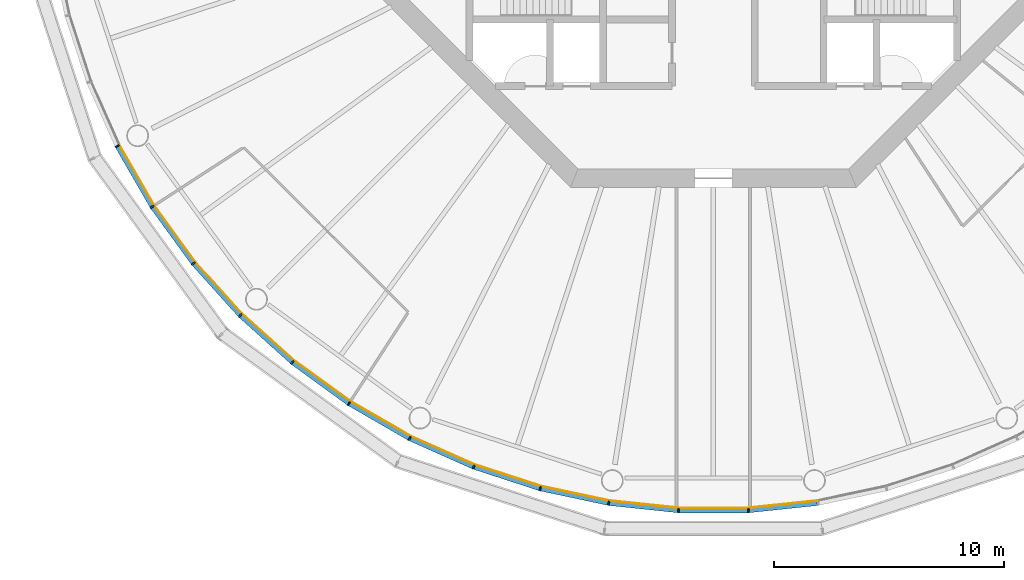
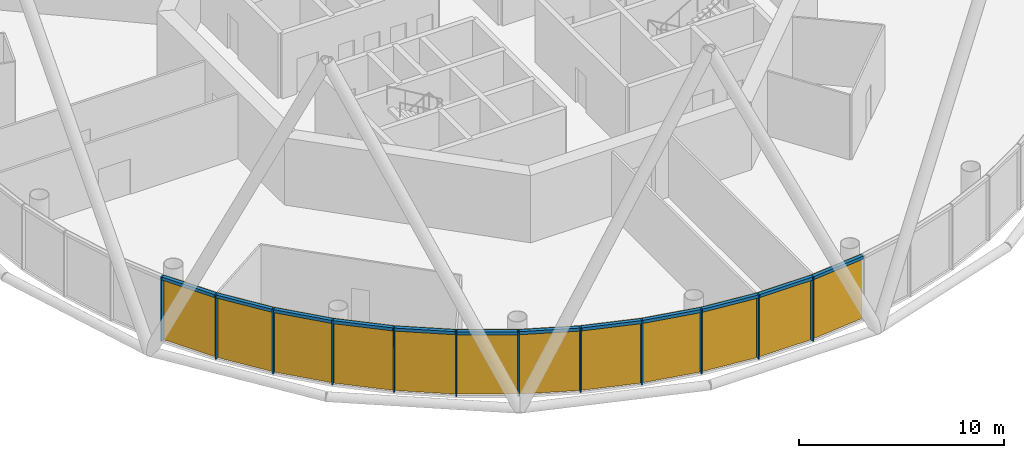
# One storey, part 7 of 13: 24 members, 4 curtain walls.
"""IFC4 building model written with IfcOpenShell, lengths in metres."""

import ifcopenshell
import ifcopenshell.guid

model = None  # the IFC model being written
_history = None  # IfcOwnerHistory: only IFC2X3 demands one
_inside = {}  # id of a spatial element -> (the spatial element, [elements in it])
_under = {}  # id of a project, library or spatial element -> (it, [spatial elements below it])
_declared = {}  # id of a project -> (the project, [libraries it declares])
_typed = {}  # id of a type object -> (the type object, [elements of that type])
_made_of = {}  # id of a material, layer set ... -> (it, [elements and type objects made of it])


def new_model(schema):
    """Start an empty IFC model of exactly this schema.

    Asked for "IFC4X3", IfcOpenShell would pick the latest addendum, in which some entities
    have other attributes; the version numbers below select the first issue.
    IFC2X3 requires an IfcOwnerHistory on every rooted entity: one is made here for all.
    """
    global model, _history
    if schema == "IFC4X3":
        model = ifcopenshell.file(schema_version=(4, 3, 0, 0))
    else:
        model = ifcopenshell.file(schema=schema)
    _inside.clear()
    _under.clear()
    _declared.clear()
    _typed.clear()
    _made_of.clear()
    _history = None
    if model.schema == "IFC2X3":
        org = make("IfcOrganization", Name="unknown")
        user = make(
            "IfcPersonAndOrganization",
            ThePerson=make("IfcPerson", FamilyName="unknown"),
            TheOrganization=org,
        )
        app = make(
            "IfcApplication",
            ApplicationDeveloper=org,
            Version="unknown",
            ApplicationFullName="unknown",
            ApplicationIdentifier="unknown",
        )
        _history = make(
            "IfcOwnerHistory",
            OwningUser=user,
            OwningApplication=app,
            ChangeAction="ADDED",
            CreationDate=0,
        )
    return model


def make(cls, **values):
    """One entity of the class cls with the attributes given. An attribute that is None is left unset."""
    return model.create_entity(
        cls, **{name: value for name, value in values.items() if value is not None}
    )


def rooted(cls, **values):
    """An entity with a GlobalId (a new one), such as an element, a storey or a relation."""
    return make(cls, GlobalId=ifcopenshell.guid.new(), OwnerHistory=_history, **values)


def si_unit(unit_type, name, prefix=None):
    """IfcSIUnit, for example si_unit("LENGTHUNIT", "METRE", prefix="MILLI")."""
    return make("IfcSIUnit", UnitType=unit_type, Prefix=prefix, Name=name)


def assignment(units):
    """IfcUnitAssignment: the units of a project."""
    return None if units is None else make("IfcUnitAssignment", Units=units)


def point(xyz):
    """IfcCartesianPoint."""
    return None if xyz is None else make("IfcCartesianPoint", Coordinates=xyz)


def direction(xyz):
    """IfcDirection."""
    return None if xyz is None else make("IfcDirection", DirectionRatios=xyz)


def frame(location, z_axis=None, x_axis=None):
    """IfcAxis2Placement3D, a coordinate frame: its origin and axes. An axis left out is left unset."""
    return make(
        "IfcAxis2Placement3D",
        Location=point(location),
        Axis=direction(z_axis),
        RefDirection=direction(x_axis),
    )


def frame_2d(location, x_axis=None):
    """IfcAxis2Placement2D, a coordinate frame in the plane: its origin and x axis."""
    return make(
        "IfcAxis2Placement2D", Location=point(location), RefDirection=direction(x_axis)
    )


def origin():
    """The frame at (0, 0, 0) with its axes left unset."""
    return frame((0.0, 0.0, 0.0))


def origin_2d():
    """The frame at (0, 0) in the plane with its x axis left unset."""
    return frame_2d((0.0, 0.0))


def place(relative_to, where):
    """IfcLocalPlacement: puts the frame where relative to a parent placement (None: the world)."""
    return make(
        "IfcLocalPlacement", PlacementRelTo=relative_to, RelativePlacement=where
    )


def context(
    kind, dimensions, precision=None, world=None, true_north=None, identifier=None
):
    """IfcGeometricRepresentationContext, for example the 3D "Model" context."""
    return make(
        "IfcGeometricRepresentationContext",
        ContextIdentifier=identifier,
        ContextType=kind,
        CoordinateSpaceDimension=dimensions,
        Precision=precision,
        WorldCoordinateSystem=world,
        TrueNorth=true_north,
    )


def subcontext(parent, identifier, kind, view, scale=None):
    """IfcGeometricRepresentationSubContext, for example "Body" below "Model"."""
    return make(
        "IfcGeometricRepresentationSubContext",
        ContextIdentifier=identifier,
        ContextType=kind,
        ParentContext=parent,
        TargetScale=scale,
        TargetView=view,
    )


def project(units=None, contexts=None):
    """IfcProject with its units and contexts."""
    return rooted(
        "IfcProject",
        Name="project",
        RepresentationContexts=contexts,
        UnitsInContext=assignment(units),
    )


def spatial(cls, under=None, at=None, **own):
    """A site, building, storey or space (cls), placed at a placement, below another one or the project."""
    s = rooted(cls, ObjectPlacement=at, **own)
    if under is not None:
        _under.setdefault(under.id(), (under, []))[1].append(s)
    return s


def polyline(points):
    """IfcPolyline through the points."""
    return make("IfcPolyline", Points=[point(p) for p in points])


def profile(cls, at=None, kind="AREA", **sizes):
    """A parametric profile (cls). Its sizes go by their IFC names, for example OverallWidth=200.0."""
    return make(cls, ProfileType=kind, Position=at, **sizes)


def rectangle(**sizes):
    """IfcRectangleProfileDef."""
    return profile("IfcRectangleProfileDef", **sizes)


def outline(outer, holes=None, kind="AREA"):
    """IfcArbitraryClosedProfileDef: a profile drawn as a closed curve; with holes, ...WithVoids."""
    if holes is None:
        return make("IfcArbitraryClosedProfileDef", ProfileType=kind, OuterCurve=outer)
    return make(
        "IfcArbitraryProfileDefWithVoids",
        ProfileType=kind,
        OuterCurve=outer,
        InnerCurves=holes,
    )


def extrude(swept, where, along, depth):
    """IfcExtrudedAreaSolid: the profile swept, set in the frame where, extruded along a direction by depth."""
    return make(
        "IfcExtrudedAreaSolid",
        SweptArea=swept,
        Position=where,
        ExtrudedDirection=direction(along),
        Depth=depth,
    )


def shape(context_of_items, identifier, shape_type, items):
    """IfcShapeRepresentation: the items that make up one representation, for example the "Body"."""
    return make(
        "IfcShapeRepresentation",
        ContextOfItems=context_of_items,
        RepresentationIdentifier=identifier,
        RepresentationType=shape_type,
        Items=items,
    )


def material(Name=None, Category=None):
    """IfcMaterial."""
    return make("IfcMaterial", Name=Name, Category=Category)


def layer(
    of_material, thickness, ventilated=None, Name=None, Category=None, Priority=None
):
    """IfcMaterialLayer: one layer of a wall or slab, of a material (None: an air gap)."""
    return make(
        "IfcMaterialLayer",
        Material=of_material,
        LayerThickness=thickness,
        IsVentilated=ventilated,
        Name=Name,
        Category=Category,
        Priority=Priority,
    )


def layer_set(layers, Name=None):
    """IfcMaterialLayerSet."""
    return make("IfcMaterialLayerSet", MaterialLayers=layers, LayerSetName=Name)


def material_profile(
    of_material, cross_section, Name=None, Category=None, Priority=None
):
    """IfcMaterialProfile: a cross section and its material."""
    return make(
        "IfcMaterialProfile",
        Name=Name,
        Material=of_material,
        Profile=cross_section,
        Priority=Priority,
        Category=Category,
    )


def profile_set(profiles, Name=None, composite=None):
    """IfcMaterialProfileSet."""
    return make(
        "IfcMaterialProfileSet",
        Name=Name,
        MaterialProfiles=profiles,
        CompositeProfile=composite,
    )


def made_of(thing, what):
    """Note that an element or type object is made of a material, layer set ...; save() writes the relation."""
    if what is not None:
        _made_of.setdefault(what.id(), (what, []))[1].append(thing)
    return thing


def type_object(cls, material=None, **own):
    """A type object (cls), such as IfcWallType, which elements share."""
    return made_of(rooted(cls, **own), material)


def element(
    cls,
    number,
    at=None,
    inside=None,
    cuts=None,
    type_object=None,
    material=None,
    context=None,
    identifier="Body",
    shape_type=None,
    held_by="IfcProductDefinitionShape",
    body=None,
    shapes=None,
    **own,
):
    """One element of the class cls, such as IfcWall. Its Tag is "e" and its number.

    at: its placement. inside: the storey or other place that contains it. cuts: it is an
    opening in that element (IfcRelVoidsElement). A single representation is given by context,
    identifier, shape_type and body (its items); several are given by shapes. held_by: the class
    of the entity that holds the representations. save() writes the other relations.
    """
    e = rooted(cls, Tag="e%d" % number, ObjectPlacement=at, **own)
    if body is not None:
        shapes = [shape(context, identifier, shape_type, body)]
    if shapes is not None:
        e.Representation = make(held_by, Representations=shapes)
    if inside is not None:
        _inside.setdefault(inside.id(), (inside, []))[1].append(e)
    if cuts is not None:
        rooted(
            "IfcRelVoidsElement", RelatingBuildingElement=cuts, RelatedOpeningElement=e
        )
    if type_object is not None:
        _typed.setdefault(type_object.id(), (type_object, []))[1].append(e)
    return made_of(e, material)


def aggregate(whole, parts):
    """IfcRelAggregates: a whole, such as a stair, and the parts it consists of."""
    return rooted("IfcRelAggregates", RelatingObject=whole, RelatedObjects=parts)


def save(model, path):
    """Write the relations noted so far, then the file.

    IfcRelAggregates (storeys below a building ...), IfcRelContainedInSpatialStructure (elements
    in a storey), IfcRelDefinesByType, IfcRelAssociatesMaterial and IfcRelDeclares: one each for
    every whole, place, type object, material and project.
    """
    for whole, parts in _under.values():
        aggregate(whole, parts)
    for where, things in _inside.values():
        rooted(
            "IfcRelContainedInSpatialStructure",
            RelatedElements=things,
            RelatingStructure=where,
        )
    for kind, things in _typed.values():
        rooted("IfcRelDefinesByType", RelatedObjects=things, RelatingType=kind)
    for what, things in _made_of.values():
        rooted("IfcRelAssociatesMaterial", RelatedObjects=things, RelatingMaterial=what)
    for by, libraries in _declared.values():
        rooted("IfcRelDeclares", RelatingContext=by, RelatedDefinitions=libraries)
    model.write(path)


model = new_model("IFC4")

# Units and contexts
model_context = context("Model", 3, precision=1e-05, world=origin(), true_north=direction((0.0, 1.0)))
body_context = subcontext(model_context, "Body", "Model", "MODEL_VIEW")
ifc_project = project(units=[si_unit("LENGTHUNIT", "METRE"), si_unit("AREAUNIT", "SQUARE_METRE"), si_unit("VOLUMEUNIT", "CUBIC_METRE"), si_unit("PLANEANGLEUNIT", "RADIAN"), si_unit("MASSUNIT", "GRAM", prefix="KILO")], contexts=[model_context])

# Member
ifc_material_1 = material(Name="Anodised aluminium", Category="aluminium")
ifc_material_profile_1 = material_profile(ifc_material_1, rectangle(XDim=0.06494140625, YDim=0.195068359375, at=origin_2d()), Name="Mullion 65 x 195 mm anodised aluminium")
ifc_profile_set_1 = profile_set([ifc_material_profile_1], Name="Anodised aluminium")
member_type_1 = type_object("IfcMemberType", Name="Mullion 65 x 195 mm anodised aluminium", PredefinedType="MULLION", material=ifc_profile_set_1)
site_placement = place(None, origin())
building_placement = place(site_placement, origin())
storey_placement = place(building_placement, frame((0.0, 0.0, 274.0)))
member_1_placement = place(storey_placement, frame((64.073974609375, 66.7900390625, 0.0), z_axis=(0.0, 0.0, 1.0), x_axis=(0.45399049974, -0.891006524188, 0.0)))
member_1 = element("IfcMember", 1, at=member_1_placement, type_object=member_type_1, Name="MULLION L62-33", PredefinedType="MULLION", context=body_context, shape_type="SweptSolid", body=[
    extrude(rectangle(XDim=0.06494140625, YDim=0.195068359375, at=origin_2d()), origin(), (0.0, 0.0, 1.0), 3.85009765625),
])

member_2_placement = place(storey_placement, frame((65.5966796875, 64.15234375, 0.0), z_axis=(0.0, 0.0, 1.0), x_axis=(0.544639035015, -0.838670567945, 0.0)))
member_2 = element("IfcMember", 2, at=member_2_placement, type_object=member_type_1, Name="MULLION L62-34", PredefinedType="MULLION", context=body_context, shape_type="SweptSolid", body=[
    extrude(rectangle(XDim=0.06494140625, YDim=0.195068359375, at=origin_2d()), origin(), (0.0, 0.0, 1.0), 3.85009765625),
])

member_3_placement = place(storey_placement, frame((67.386962890625, 61.688232421875, 0.0), z_axis=(0.0, 0.0, 1.0), x_axis=(0.62932039105, -0.777145961457, 0.0)))
member_3 = element("IfcMember", 3, at=member_3_placement, type_object=member_type_1, Name="MULLION L62-35", PredefinedType="MULLION", context=body_context, shape_type="SweptSolid", body=[
    extrude(rectangle(XDim=0.06494140625, YDim=0.195068359375, at=origin_2d()), origin(), (0.0, 0.0, 1.0), 3.85009765625),
])

member_4_placement = place(storey_placement, frame((69.425048828125, 59.425048828125, 0.0), z_axis=(0.0, 0.0, 1.0), x_axis=(0.707106781187, -0.707106781187, 0.0)))
member_4 = element("IfcMember", 4, at=member_4_placement, type_object=member_type_1, Name="MULLION L62-36", PredefinedType="MULLION", context=body_context, shape_type="SweptSolid", body=[
    extrude(rectangle(XDim=0.06494140625, YDim=0.195068359375, at=origin_2d()), origin(), (0.0, 0.0, 1.0), 3.85009765625),
])

member_5_placement = place(storey_placement, frame((71.688232421875, 57.386962890625, 0.0), z_axis=(0.0, 0.0, 1.0), x_axis=(0.777145961457, -0.62932039105, 0.0)))
member_5 = element("IfcMember", 5, at=member_5_placement, type_object=member_type_1, Name="MULLION L62-37", PredefinedType="MULLION", context=body_context, shape_type="SweptSolid", body=[
    extrude(rectangle(XDim=0.06494140625, YDim=0.195068359375, at=origin_2d()), origin(), (0.0, 0.0, 1.0), 3.85009765625),
])

member_6_placement = place(storey_placement, frame((74.15234375, 55.5966796875, 0.0), z_axis=(0.0, 0.0, 1.0), x_axis=(0.838670567945, -0.544639035015, 0.0)))
member_6 = element("IfcMember", 6, at=member_6_placement, type_object=member_type_1, Name="MULLION L62-38", PredefinedType="MULLION", context=body_context, shape_type="SweptSolid", body=[
    extrude(rectangle(XDim=0.06494140625, YDim=0.195068359375, at=origin_2d()), origin(), (0.0, 0.0, 1.0), 3.85009765625),
])

member_7_placement = place(storey_placement, frame((76.7900390625, 54.073974609375, 0.0), z_axis=(0.0, 0.0, 1.0), x_axis=(0.891006524188, -0.45399049974, 0.0)))
member_7 = element("IfcMember", 7, at=member_7_placement, type_object=member_type_1, Name="MULLION L62-39", PredefinedType="MULLION", context=body_context, shape_type="SweptSolid", body=[
    extrude(rectangle(XDim=0.06494140625, YDim=0.195068359375, at=origin_2d()), origin(), (0.0, 0.0, 1.0), 3.85009765625),
])

member_8_placement = place(storey_placement, frame((79.572509765625, 52.835205078125, 0.0), z_axis=(0.0, 0.0, 1.0), x_axis=(0.933580426497, -0.358367949545, 0.0)))
member_8 = element("IfcMember", 8, at=member_8_placement, type_object=member_type_1, Name="MULLION L62-40", PredefinedType="MULLION", context=body_context, shape_type="SweptSolid", body=[
    extrude(rectangle(XDim=0.06494140625, YDim=0.195068359375, at=origin_2d()), origin(), (0.0, 0.0, 1.0), 3.85009765625),
])

member_9_placement = place(storey_placement, frame((82.468994140625, 51.89404296875, 0.0), z_axis=(0.0, 0.0, 1.0), x_axis=(0.965925826289, -0.258819045103, 0.0)))
member_9 = element("IfcMember", 9, at=member_9_placement, type_object=member_type_1, Name="MULLION L62-41", PredefinedType="MULLION", context=body_context, shape_type="SweptSolid", body=[
    extrude(rectangle(XDim=0.06494140625, YDim=0.195068359375, at=origin_2d()), origin(), (0.0, 0.0, 1.0), 3.85009765625),
])

member_10_placement = place(storey_placement, frame((85.4482421875, 51.2607421875, 0.0), z_axis=(0.0, 0.0, 1.0), x_axis=(0.987688340595, -0.15643446504, 0.0)))
member_10 = element("IfcMember", 10, at=member_10_placement, type_object=member_type_1, Name="MULLION L62-42", PredefinedType="MULLION", context=body_context, shape_type="SweptSolid", body=[
    extrude(rectangle(XDim=0.06494140625, YDim=0.195068359375, at=origin_2d()), origin(), (0.0, 0.0, 1.0), 3.85009765625),
])

member_11_placement = place(storey_placement, frame((88.47705078125, 50.9423828125, 0.0), z_axis=(0.0, 0.0, 1.0), x_axis=(0.998629534755, -0.052335956243, 0.0)))
member_11 = element("IfcMember", 11, at=member_11_placement, type_object=member_type_1, Name="MULLION L62-43", PredefinedType="MULLION", context=body_context, shape_type="SweptSolid", body=[
    extrude(rectangle(XDim=0.06494140625, YDim=0.195068359375, at=origin_2d()), origin(), (0.0, 0.0, 1.0), 3.85009765625),
])

member_12_placement = place(storey_placement, frame((91.52294921875, 50.9423828125, 0.0), z_axis=(0.0, 0.0, 1.0), x_axis=(0.998629534755, 0.052335956243, 0.0)))
member_12 = element("IfcMember", 12, at=member_12_placement, type_object=member_type_1, Name="MULLION L62-44", PredefinedType="MULLION", context=body_context, shape_type="SweptSolid", body=[
    extrude(rectangle(XDim=0.06494140625, YDim=0.195068359375, at=origin_2d()), origin(), (0.0, 0.0, 1.0), 3.85009765625),
])

ifc_material_2 = material(Name="Anodised aluminium", Category="aluminium")
ifc_material_profile_2 = material_profile(ifc_material_2, rectangle(XDim=0.195068359375, YDim=0.179931640625, at=origin_2d()), Name="Transom 180 x 195 mm anodised aluminium")
ifc_profile_set_2 = profile_set([ifc_material_profile_2], Name="Anodised aluminium")
member_type_2 = type_object("IfcMemberType", Name="Transom 180 x 195 mm anodised aluminium", PredefinedType="USERDEFINED", material=ifc_profile_set_2)
member_13_placement = place(storey_placement, frame((64.092529296875, 66.75732421875, 3.760009765625), z_axis=(0.500028367561, -0.866009025146, 0.0), x_axis=(0.866009025146, 0.500028367561, 0.0)))
member_13 = element("IfcMember", 13, at=member_13_placement, type_object=member_type_2, Name="TRANSOM L62-33", ObjectType="TRANSOM", PredefinedType="USERDEFINED", context=body_context, shape_type="SweptSolid", body=[
    extrude(rectangle(XDim=0.195068359375, YDim=0.179931640625, at=origin_2d()), origin(), (0.0, 0.0, 1.0), 2.970458984375),
])

member_14_placement = place(storey_placement, frame((65.618896484375, 64.121826171875, 3.760009765625), z_axis=(0.587765987476, -0.809030990733, 0.0), x_axis=(0.809030990733, 0.587765987476, 0.0)))
member_14 = element("IfcMember", 14, at=member_14_placement, type_object=member_type_2, Name="TRANSOM L62-34", ObjectType="TRANSOM", PredefinedType="USERDEFINED", context=body_context, shape_type="SweptSolid", body=[
    extrude(rectangle(XDim=0.195068359375, YDim=0.179931640625, at=origin_2d()), origin(), (0.0, 0.0, 1.0), 2.97021484375),
])

member_15_placement = place(storey_placement, frame((67.412109375, 61.660400390625, 3.760009765625), z_axis=(0.669110027395, -0.743163354343, 0.0), x_axis=(0.743163354343, 0.669110027395, 0.0)))
member_15 = element("IfcMember", 15, at=member_15_placement, type_object=member_type_2, Name="TRANSOM L62-35", ObjectType="TRANSOM", PredefinedType="USERDEFINED", context=body_context, shape_type="SweptSolid", body=[
    extrude(rectangle(XDim=0.195068359375, YDim=0.179931640625, at=origin_2d()), origin(), (0.0, 0.0, 1.0), 2.970458984375),
])

member_16_placement = place(storey_placement, frame((69.452880859375, 59.399658203125, 3.760009765625), z_axis=(0.743163354343, -0.669110027395, 0.0), x_axis=(0.669110027395, 0.743163354343, 0.0)))
member_16 = element("IfcMember", 16, at=member_16_placement, type_object=member_type_2, Name="TRANSOM L62-36", ObjectType="TRANSOM", PredefinedType="USERDEFINED", context=body_context, shape_type="SweptSolid", body=[
    extrude(rectangle(XDim=0.195068359375, YDim=0.179931640625, at=origin_2d()), origin(), (0.0, 0.0, 1.0), 2.970458984375),
])

member_17_placement = place(storey_placement, frame((71.71875, 57.36474609375, 3.760009765625), z_axis=(0.809030990733, -0.587765987476, 0.0), x_axis=(0.587765987476, 0.809030990733, 0.0)))
member_17 = element("IfcMember", 17, at=member_17_placement, type_object=member_type_2, Name="TRANSOM L62-37", ObjectType="TRANSOM", PredefinedType="USERDEFINED", context=body_context, shape_type="SweptSolid", body=[
    extrude(rectangle(XDim=0.195068359375, YDim=0.179931640625, at=origin_2d()), origin(), (0.0, 0.0, 1.0), 2.97021484375),
])

member_18_placement = place(storey_placement, frame((74.184814453125, 55.577880859375, 3.760009765625), z_axis=(0.866009025146, -0.500028367561, 0.0), x_axis=(0.500028367561, 0.866009025146, 0.0)))
member_18 = element("IfcMember", 18, at=member_18_placement, type_object=member_type_2, Name="TRANSOM L62-38", ObjectType="TRANSOM", PredefinedType="USERDEFINED", context=body_context, shape_type="SweptSolid", body=[
    extrude(rectangle(XDim=0.195068359375, YDim=0.179931640625, at=origin_2d()), origin(), (0.0, 0.0, 1.0), 2.970458984375),
])

member_19_placement = place(storey_placement, frame((76.82421875, 54.05859375, 3.760009765625), z_axis=(0.913550406593, -0.406725527369, 0.0), x_axis=(0.406725527369, 0.913550406593, 0.0)))
member_19 = element("IfcMember", 19, at=member_19_placement, type_object=member_type_2, Name="TRANSOM L62-39", ObjectType="TRANSOM", PredefinedType="USERDEFINED", context=body_context, shape_type="SweptSolid", body=[
    extrude(rectangle(XDim=0.195068359375, YDim=0.179931640625, at=origin_2d()), origin(), (0.0, 0.0, 1.0), 2.970703125),
])

member_20_placement = place(storey_placement, frame((79.608154296875, 52.823486328125, 3.760009765625), z_axis=(0.951047960094, -0.309043326415, 0.0), x_axis=(0.309043326415, 0.951047960094, 0.0)))
member_20 = element("IfcMember", 20, at=member_20_placement, type_object=member_type_2, Name="TRANSOM L62-40", ObjectType="TRANSOM", PredefinedType="USERDEFINED", context=body_context, shape_type="SweptSolid", body=[
    extrude(rectangle(XDim=0.195068359375, YDim=0.179931640625, at=origin_2d()), origin(), (0.0, 0.0, 1.0), 2.970458984375),
])

member_21_placement = place(storey_placement, frame((82.505859375, 51.885986328125, 3.760009765625), z_axis=(0.978141510112, -0.207940342877, 0.0), x_axis=(0.207940342877, 0.978141510112, 0.0)))
member_21 = element("IfcMember", 21, at=member_21_placement, type_object=member_type_2, Name="TRANSOM L62-41", ObjectType="TRANSOM", PredefinedType="USERDEFINED", context=body_context, shape_type="SweptSolid", body=[
    extrude(rectangle(XDim=0.195068359375, YDim=0.179931640625, at=origin_2d()), origin(), (0.0, 0.0, 1.0), 2.970458984375),
])

member_22_placement = place(storey_placement, frame((85.485595703125, 51.256591796875, 3.760009765625), z_axis=(0.994528397827, -0.104466577987, 0.0), x_axis=(0.104466577987, 0.994528397827, 0.0)))
member_22 = element("IfcMember", 22, at=member_22_placement, type_object=member_type_2, Name="TRANSOM L62-42", ObjectType="TRANSOM", PredefinedType="USERDEFINED", context=body_context, shape_type="SweptSolid", body=[
    extrude(rectangle(XDim=0.195068359375, YDim=0.179931640625, at=origin_2d()), origin(), (0.0, 0.0, 1.0), 2.970458984375),
])

member_23_placement = place(storey_placement, frame((88.5146484375, 50.942138671875, 3.760009765625), z_axis=(1.0, 0.0, 0.0), x_axis=(0.0, 1.0, 0.0)))
member_23 = element("IfcMember", 23, at=member_23_placement, type_object=member_type_2, Name="TRANSOM L62-43", ObjectType="TRANSOM", PredefinedType="USERDEFINED", context=body_context, shape_type="SweptSolid", body=[
    extrude(rectangle(XDim=0.195068359375, YDim=0.179931640625, at=origin_2d()), origin(), (0.0, 0.0, 1.0), 2.970703125),
])

member_24_placement = place(storey_placement, frame((91.560302734375, 50.9462890625, 3.760009765625), z_axis=(0.994528397827, 0.104466577987, 0.0), x_axis=(-0.104466577987, 0.994528397827, 0.0)))
member_24 = element("IfcMember", 24, at=member_24_placement, type_object=member_type_2, Name="TRANSOM L62-44", ObjectType="TRANSOM", PredefinedType="USERDEFINED", context=body_context, shape_type="SweptSolid", body=[
    extrude(rectangle(XDim=0.195068359375, YDim=0.179931640625, at=origin_2d()), origin(), (0.0, 0.0, 1.0), 2.970458984375),
])

# Site, building, storey
site = spatial("IfcSite", under=ifc_project, at=site_placement, CompositionType="ELEMENT")
building = spatial("IfcBuilding", under=site, at=building_placement, Name="Entoto Ring Tower", CompositionType="ELEMENT")
storey = spatial("IfcBuildingStorey", under=building, at=storey_placement, Name="L62", CompositionType="ELEMENT", Elevation=274.0)

# Curtain wall
ifc_material_3 = material(Name="Clear low-iron glass", Category="glass")
ifc_layer = layer(ifc_material_3, 0.033935546875)
ifc_layer_set = layer_set([ifc_layer], Name="Clear low-iron glass")
curtain_wall_type = type_object("IfcCurtainWallType", Name="Curtain wall system CW5 glazing 34 mm", PredefinedType="NOTDEFINED", material=ifc_layer_set)
curtain_wall_1_placement = place(storey_placement, origin())
curtain_wall_1 = element("IfcCurtainWall", 25, at=curtain_wall_1_placement, inside=storey, type_object=curtain_wall_type, Name="CW5 L62-12", PredefinedType="NOTDEFINED", context=body_context, shape_type="SweptSolid", body=[
    extrude(outline(polyline([(64.160888671875, 66.834228515625), (65.678466796875, 64.20556640625), (67.462646484375, 61.749755859375), (69.493896484375, 59.493896484375), (69.51806640625, 59.51806640625), (67.4892578125, 61.771240234375), (65.70703125, 64.22412109375), (64.191162109375, 66.849853515625), (64.160888671875, 66.834228515625)])), origin(), (0.0, 0.0, 1.0), 3.85009765625),
])

aggregate(curtain_wall_1, [member_1, member_2, member_3, member_13, member_14, member_15])

curtain_wall_2_placement = place(storey_placement, origin())
curtain_wall_2 = element("IfcCurtainWall", 26, at=curtain_wall_2_placement, inside=storey, type_object=curtain_wall_type, Name="CW5 L62-13", PredefinedType="NOTDEFINED", context=body_context, shape_type="SweptSolid", body=[
    extrude(outline(polyline([(69.493896484375, 59.493896484375), (71.749755859375, 57.462646484375), (74.20556640625, 55.678466796875), (76.834228515625, 54.160888671875), (76.849853515625, 54.191162109375), (74.22412109375, 55.70703125), (71.771240234375, 57.4892578125), (69.51806640625, 59.51806640625), (69.493896484375, 59.493896484375)])), origin(), (0.0, 0.0, 1.0), 3.85009765625),
])

aggregate(curtain_wall_2, [member_4, member_5, member_6, member_16, member_17, member_18])

curtain_wall_3_placement = place(storey_placement, origin())
curtain_wall_3 = element("IfcCurtainWall", 27, at=curtain_wall_3_placement, inside=storey, type_object=curtain_wall_type, Name="CW5 L62-14", PredefinedType="NOTDEFINED", context=body_context, shape_type="SweptSolid", body=[
    extrude(outline(polyline([(76.834228515625, 54.160888671875), (79.607421875, 52.92626953125), (82.494140625, 51.988037109375), (85.46337890625, 51.35693359375), (85.46875, 51.390625), (82.503173828125, 52.02099609375), (79.61962890625, 52.9580078125), (76.849853515625, 54.191162109375), (76.834228515625, 54.160888671875)])), origin(), (0.0, 0.0, 1.0), 3.85009765625),
])

aggregate(curtain_wall_3, [member_7, member_8, member_9, member_19, member_20, member_21])

curtain_wall_4_placement = place(storey_placement, origin())
curtain_wall_4 = element("IfcCurtainWall", 28, at=curtain_wall_4_placement, inside=storey, type_object=curtain_wall_type, Name="CW5 L62-15", PredefinedType="NOTDEFINED", context=body_context, shape_type="SweptSolid", body=[
    extrude(outline(polyline([(85.46337890625, 51.35693359375), (88.482177734375, 51.039794921875), (91.517822265625, 51.039794921875), (94.53662109375, 51.35693359375), (94.53125, 51.390625), (91.515869140625, 51.07373046875), (88.484130859375, 51.07373046875), (85.46875, 51.390625), (85.46337890625, 51.35693359375)])), origin(), (0.0, 0.0, 1.0), 3.85009765625),
])

aggregate(curtain_wall_4, [member_10, member_11, member_12, member_22, member_23, member_24])

save(model, "model.ifc")
